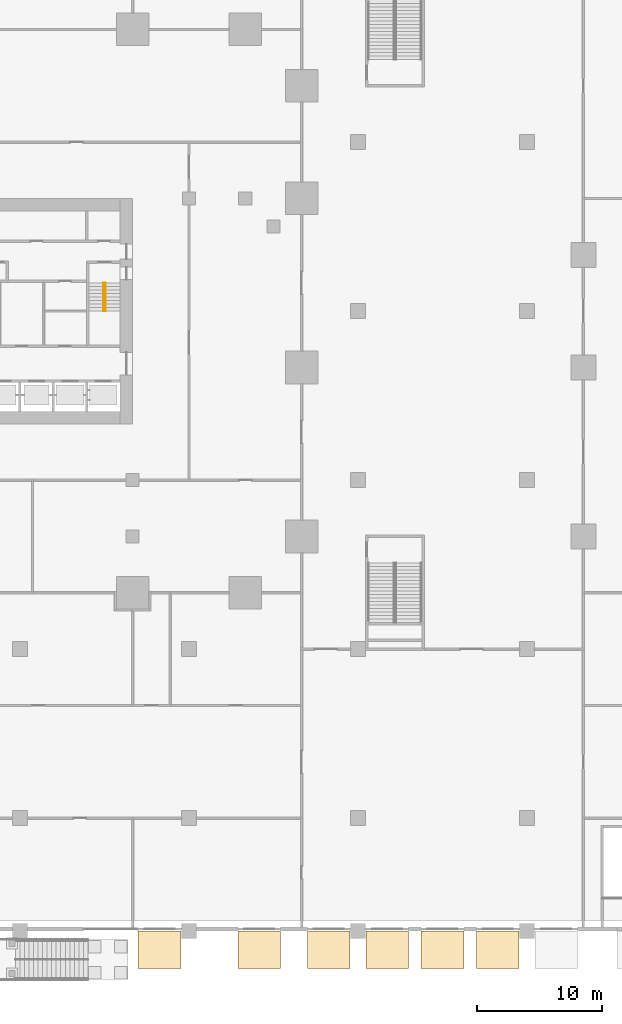
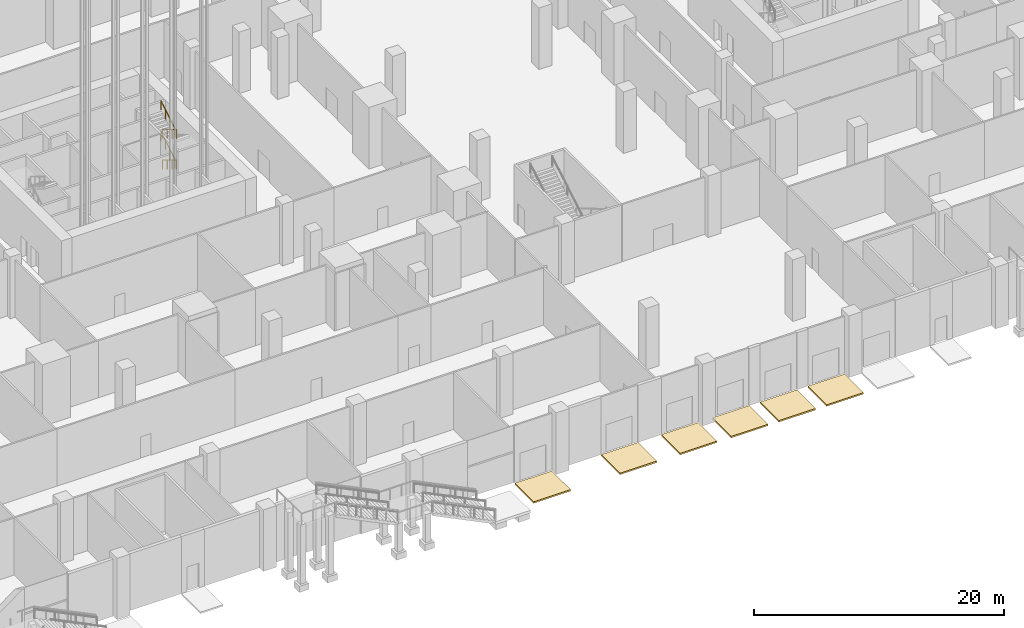
# One storey, part 60 of 68: 6 coverings, 4 railings.
"""IFC4 building model written with IfcOpenShell, lengths in metres."""

from ifc_helpers import new_model, si_unit, direction, frame, origin, origin_2d, place, context, subcontext, project, spatial, polyline, circle, outline, extrude, source, transform, mapped, material, layer, layer_set, type_object, element, save


model = new_model("IFC4")

# Units and contexts
model_context = context("Model", 3, precision=1e-05, world=origin(), true_north=direction((0.0, 1.0)))
body_context = subcontext(model_context, "Body", "Model", "MODEL_VIEW")
ifc_project = project(units=[si_unit("LENGTHUNIT", "METRE"), si_unit("AREAUNIT", "SQUARE_METRE"), si_unit("VOLUMEUNIT", "CUBIC_METRE"), si_unit("PLANEANGLEUNIT", "RADIAN"), si_unit("MASSUNIT", "GRAM", prefix="KILO")], contexts=[model_context])

# Site, building, storey
site_placement = place(None, origin())
site = spatial("IfcSite", under=ifc_project, at=site_placement, CompositionType="ELEMENT")
building_placement = place(site_placement, origin())
building = spatial("IfcBuilding", under=site, at=building_placement, Name="Altepetl Exchange Towers", CompositionType="ELEMENT")
storey_placement = place(building_placement, origin())
storey = spatial("IfcBuildingStorey", under=building, at=storey_placement, Name="L00 Ground concourse", CompositionType="ELEMENT", Elevation=0.0)

# Coverings
ifc_material_1 = material(Name="Cantera limestone paving", Category="masonry")
ifc_layer = layer(ifc_material_1, 0.14990234375)
ifc_layer_set = layer_set([ifc_layer], Name="Cantera limestone paving")
covering_type = type_object("IfcCoveringType", Name="Paving 150 limestone", PredefinedType="FLOORING", material=ifc_layer_set)
covering_1_placement = place(storey_placement, frame((0.0, 0.0, -0.14990234375)))
element("IfcCovering", 1, at=covering_1_placement, inside=storey, type_object=covering_type, Name="Paving", PredefinedType="FLOORING", context=body_context, shape_type="SweptSolid", body=[
    extrude(outline(polyline([(58.949951171875, -3.0), (62.35009765625, -3.0), (62.35009765625, 0.0), (58.949951171875, 0.0), (58.949951171875, -3.0)])), origin(), (0.0, 0.0, 1.0), 0.14990234375),
])
covering_2_placement = place(storey_placement, frame((0.0, 0.0, -0.14990234375)))
element("IfcCovering", 2, at=covering_2_placement, inside=storey, type_object=covering_type, Name="Paving", PredefinedType="FLOORING", context=body_context, shape_type="SweptSolid", body=[
    extrude(outline(polyline([(66.89990234375, -3.0), (70.300048828125, -3.0), (70.300048828125, 0.0), (66.89990234375, 0.0), (66.89990234375, -3.0)])), origin(), (0.0, 0.0, 1.0), 0.14990234375),
])
covering_3_placement = place(storey_placement, frame((0.0, 0.0, -0.14990234375)))
element("IfcCovering", 3, at=covering_3_placement, inside=storey, type_object=covering_type, Name="Paving", PredefinedType="FLOORING", context=body_context, shape_type="SweptSolid", body=[
    extrude(outline(polyline([(72.449951171875, -3.0), (75.85009765625, -3.0), (75.85009765625, 0.0), (72.449951171875, 0.0), (72.449951171875, -3.0)])), origin(), (0.0, 0.0, 1.0), 0.14990234375),
])
covering_4_placement = place(storey_placement, frame((0.0, 0.0, -0.14990234375)))
element("IfcCovering", 4, at=covering_4_placement, inside=storey, type_object=covering_type, Name="Paving", PredefinedType="FLOORING", context=body_context, shape_type="SweptSolid", body=[
    extrude(outline(polyline([(77.14990234375, -3.0), (80.550048828125, -3.0), (80.550048828125, 0.0), (77.14990234375, 0.0), (77.14990234375, -3.0)])), origin(), (0.0, 0.0, 1.0), 0.14990234375),
])
covering_5_placement = place(storey_placement, frame((0.0, 0.0, -0.14990234375)))
element("IfcCovering", 5, at=covering_5_placement, inside=storey, type_object=covering_type, Name="Paving", PredefinedType="FLOORING", context=body_context, shape_type="SweptSolid", body=[
    extrude(outline(polyline([(81.550048828125, -3.0), (84.949951171875, -3.0), (84.949951171875, 0.0), (81.550048828125, 0.0), (81.550048828125, -3.0)])), origin(), (0.0, 0.0, 1.0), 0.14990234375),
])
covering_6_placement = place(storey_placement, frame((0.0, 0.0, -0.14990234375)))
element("IfcCovering", 6, at=covering_6_placement, inside=storey, type_object=covering_type, Name="Paving", PredefinedType="FLOORING", context=body_context, shape_type="SweptSolid", body=[
    extrude(outline(polyline([(85.949951171875, -3.0), (89.35009765625, -3.0), (89.35009765625, 0.0), (85.949951171875, 0.0), (85.949951171875, -3.0)])), origin(), (0.0, 0.0, 1.0), 0.14990234375),
])

# Railings
ifc_material_2 = material(Name="Steel", Category="steel")
railing_type = type_object("IfcRailingType", Name="Stair handrail 50 steel tube", PredefinedType="HANDRAIL", material=ifc_material_2)
shared_shape = source(origin(), body_context, "Body", "SweptSolid", [
    extrude(circle(Radius=0.02099609375, at=origin_2d()), origin(), (0.0, 0.0, 1.0), 0.851806640625),
])
railing_1_placement = place(storey_placement, frame((56.330078125, 51.75, 0.166748046875)))
element("IfcRailing", 7, at=railing_1_placement, inside=storey, type_object=railing_type, Name="Stair handrail", PredefinedType="HANDRAIL", context=body_context, shape_type="SweptSolid", body=[
    extrude(circle(Radius=0.02392578125, at=origin_2d()), frame((0.0, 0.0, 0.8759765625), z_axis=(0.0, -0.859305625298, 0.511462454469), x_axis=(1.0, 0.0, 0.0)), (0.0, 0.0, 1.0), 2.606689453125),
    mapped(shared_shape, transform((0.0, 0.0, 0.0))),
    mapped(shared_shape, transform((0.0, -0.74658203125, 0.4443359375))),
    mapped(shared_shape, transform((0.0, -1.493408203125, 0.888916015625))),
    mapped(shared_shape, transform((0.0, -2.239990234375, 1.333251953125))),
])
railing_2_placement = place(storey_placement, frame((56.169921875, 49.510009765625, 1.666748046875)))
element("IfcRailing", 8, at=railing_2_placement, inside=storey, type_object=railing_type, Name="Stair handrail", PredefinedType="HANDRAIL", context=body_context, shape_type="SweptSolid", body=[
    extrude(circle(Radius=0.02392578125, at=origin_2d()), frame((0.0, 0.0, 0.8759765625), z_axis=(0.0, 0.859305625298, 0.511462454469), x_axis=(-1.0, 0.0, 0.0)), (0.0, 0.0, 1.0), 2.606689453125),
    mapped(shared_shape, transform((0.0, 0.0, 0.0))),
    mapped(shared_shape, transform((0.0, 0.74658203125, 0.4443359375))),
    mapped(shared_shape, transform((0.0, 1.493408203125, 0.888916015625))),
    mapped(shared_shape, transform((0.0, 2.239990234375, 1.333251953125))),
])
railing_3_placement = place(storey_placement, frame((56.330078125, 51.75, 3.166748046875)))
element("IfcRailing", 9, at=railing_3_placement, inside=storey, type_object=railing_type, Name="Stair handrail", PredefinedType="HANDRAIL", context=body_context, shape_type="SweptSolid", body=[
    extrude(circle(Radius=0.02392578125, at=origin_2d()), frame((0.0, 0.0, 0.8759765625), z_axis=(0.0, -0.859305625298, 0.511462454469), x_axis=(1.0, 0.0, 0.0)), (0.0, 0.0, 1.0), 2.606689453125),
    mapped(shared_shape, transform((0.0, 0.0, 0.0))),
    mapped(shared_shape, transform((0.0, -0.74658203125, 0.4443359375))),
    mapped(shared_shape, transform((0.0, -1.493408203125, 0.888916015625))),
    mapped(shared_shape, transform((0.0, -2.239990234375, 1.333251953125))),
])
railing_4_placement = place(storey_placement, frame((56.169921875, 49.510009765625, 4.666748046875)))
element("IfcRailing", 10, at=railing_4_placement, inside=storey, type_object=railing_type, Name="Stair handrail", PredefinedType="HANDRAIL", context=body_context, shape_type="SweptSolid", body=[
    extrude(circle(Radius=0.02392578125, at=origin_2d()), frame((0.0, 0.0, 0.8759765625), z_axis=(0.0, 0.859305625298, 0.511462454469), x_axis=(-1.0, 0.0, 0.0)), (0.0, 0.0, 1.0), 2.606689453125),
    mapped(shared_shape, transform((0.0, 0.0, 0.0))),
    mapped(shared_shape, transform((0.0, 0.74658203125, 0.4443359375))),
    mapped(shared_shape, transform((0.0, 1.493408203125, 0.888916015625))),
    mapped(shared_shape, transform((0.0, 2.239990234375, 1.333251953125))),
])

save(model, "model.ifc")
